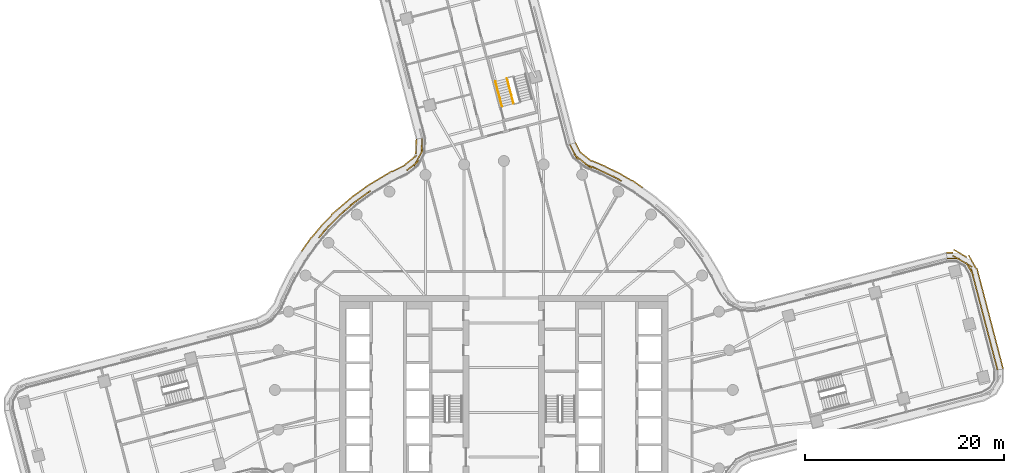
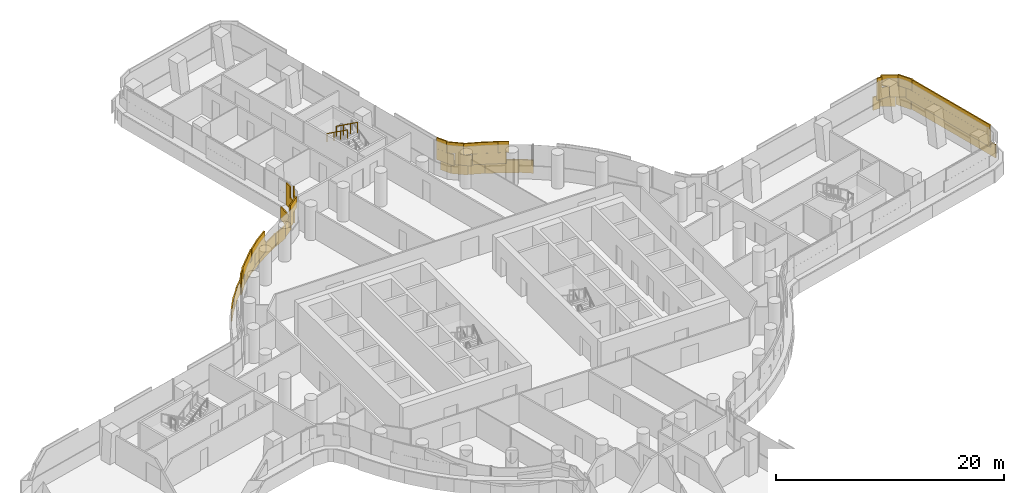
# One storey, part 29 of 30: 3 coverings, 2 railings.
"""IFC4 building model written with IfcOpenShell, lengths in metres."""

import ifcopenshell
import ifcopenshell.guid

model = None  # the IFC model being written
_history = None  # IfcOwnerHistory: only IFC2X3 demands one
_inside = {}  # id of a spatial element -> (the spatial element, [elements in it])
_under = {}  # id of a project, library or spatial element -> (it, [spatial elements below it])
_declared = {}  # id of a project -> (the project, [libraries it declares])
_typed = {}  # id of a type object -> (the type object, [elements of that type])
_made_of = {}  # id of a material, layer set ... -> (it, [elements and type objects made of it])


def new_model(schema):
    """Start an empty IFC model of exactly this schema.

    Asked for "IFC4X3", IfcOpenShell would pick the latest addendum, in which some entities
    have other attributes; the version numbers below select the first issue.
    IFC2X3 requires an IfcOwnerHistory on every rooted entity: one is made here for all.
    """
    global model, _history
    if schema == "IFC4X3":
        model = ifcopenshell.file(schema_version=(4, 3, 0, 0))
    else:
        model = ifcopenshell.file(schema=schema)
    _inside.clear()
    _under.clear()
    _declared.clear()
    _typed.clear()
    _made_of.clear()
    _history = None
    if model.schema == "IFC2X3":
        org = make("IfcOrganization", Name="unknown")
        user = make(
            "IfcPersonAndOrganization",
            ThePerson=make("IfcPerson", FamilyName="unknown"),
            TheOrganization=org,
        )
        app = make(
            "IfcApplication",
            ApplicationDeveloper=org,
            Version="unknown",
            ApplicationFullName="unknown",
            ApplicationIdentifier="unknown",
        )
        _history = make(
            "IfcOwnerHistory",
            OwningUser=user,
            OwningApplication=app,
            ChangeAction="ADDED",
            CreationDate=0,
        )
    return model


def make(cls, **values):
    """One entity of the class cls with the attributes given. An attribute that is None is left unset."""
    return model.create_entity(
        cls, **{name: value for name, value in values.items() if value is not None}
    )


def rooted(cls, **values):
    """An entity with a GlobalId (a new one), such as an element, a storey or a relation."""
    return make(cls, GlobalId=ifcopenshell.guid.new(), OwnerHistory=_history, **values)


def si_unit(unit_type, name, prefix=None):
    """IfcSIUnit, for example si_unit("LENGTHUNIT", "METRE", prefix="MILLI")."""
    return make("IfcSIUnit", UnitType=unit_type, Prefix=prefix, Name=name)


def assignment(units):
    """IfcUnitAssignment: the units of a project."""
    return None if units is None else make("IfcUnitAssignment", Units=units)


def point(xyz):
    """IfcCartesianPoint."""
    return None if xyz is None else make("IfcCartesianPoint", Coordinates=xyz)


def direction(xyz):
    """IfcDirection."""
    return None if xyz is None else make("IfcDirection", DirectionRatios=xyz)


def frame(location, z_axis=None, x_axis=None):
    """IfcAxis2Placement3D, a coordinate frame: its origin and axes. An axis left out is left unset."""
    return make(
        "IfcAxis2Placement3D",
        Location=point(location),
        Axis=direction(z_axis),
        RefDirection=direction(x_axis),
    )


def frame_2d(location, x_axis=None):
    """IfcAxis2Placement2D, a coordinate frame in the plane: its origin and x axis."""
    return make(
        "IfcAxis2Placement2D", Location=point(location), RefDirection=direction(x_axis)
    )


def origin():
    """The frame at (0, 0, 0) with its axes left unset."""
    return frame((0.0, 0.0, 0.0))


def origin_2d():
    """The frame at (0, 0) in the plane with its x axis left unset."""
    return frame_2d((0.0, 0.0))


def place(relative_to, where):
    """IfcLocalPlacement: puts the frame where relative to a parent placement (None: the world)."""
    return make(
        "IfcLocalPlacement", PlacementRelTo=relative_to, RelativePlacement=where
    )


def context(
    kind, dimensions, precision=None, world=None, true_north=None, identifier=None
):
    """IfcGeometricRepresentationContext, for example the 3D "Model" context."""
    return make(
        "IfcGeometricRepresentationContext",
        ContextIdentifier=identifier,
        ContextType=kind,
        CoordinateSpaceDimension=dimensions,
        Precision=precision,
        WorldCoordinateSystem=world,
        TrueNorth=true_north,
    )


def subcontext(parent, identifier, kind, view, scale=None):
    """IfcGeometricRepresentationSubContext, for example "Body" below "Model"."""
    return make(
        "IfcGeometricRepresentationSubContext",
        ContextIdentifier=identifier,
        ContextType=kind,
        ParentContext=parent,
        TargetScale=scale,
        TargetView=view,
    )


def project(units=None, contexts=None):
    """IfcProject with its units and contexts."""
    return rooted(
        "IfcProject",
        Name="project",
        RepresentationContexts=contexts,
        UnitsInContext=assignment(units),
    )


def spatial(cls, under=None, at=None, **own):
    """A site, building, storey or space (cls), placed at a placement, below another one or the project."""
    s = rooted(cls, ObjectPlacement=at, **own)
    if under is not None:
        _under.setdefault(under.id(), (under, []))[1].append(s)
    return s


def profile(cls, at=None, kind="AREA", **sizes):
    """A parametric profile (cls). Its sizes go by their IFC names, for example OverallWidth=200.0."""
    return make(cls, ProfileType=kind, Position=at, **sizes)


def rectangle(**sizes):
    """IfcRectangleProfileDef."""
    return profile("IfcRectangleProfileDef", **sizes)


def circle(**sizes):
    """IfcCircleProfileDef."""
    return profile("IfcCircleProfileDef", **sizes)


def extrude(swept, where, along, depth):
    """IfcExtrudedAreaSolid: the profile swept, set in the frame where, extruded along a direction by depth."""
    return make(
        "IfcExtrudedAreaSolid",
        SweptArea=swept,
        Position=where,
        ExtrudedDirection=direction(along),
        Depth=depth,
    )


def shape(context_of_items, identifier, shape_type, items):
    """IfcShapeRepresentation: the items that make up one representation, for example the "Body"."""
    return make(
        "IfcShapeRepresentation",
        ContextOfItems=context_of_items,
        RepresentationIdentifier=identifier,
        RepresentationType=shape_type,
        Items=items,
    )


def material(Name=None, Category=None):
    """IfcMaterial."""
    return make("IfcMaterial", Name=Name, Category=Category)


def layer(
    of_material, thickness, ventilated=None, Name=None, Category=None, Priority=None
):
    """IfcMaterialLayer: one layer of a wall or slab, of a material (None: an air gap)."""
    return make(
        "IfcMaterialLayer",
        Material=of_material,
        LayerThickness=thickness,
        IsVentilated=ventilated,
        Name=Name,
        Category=Category,
        Priority=Priority,
    )


def layer_set(layers, Name=None):
    """IfcMaterialLayerSet."""
    return make("IfcMaterialLayerSet", MaterialLayers=layers, LayerSetName=Name)


def made_of(thing, what):
    """Note that an element or type object is made of a material, layer set ...; save() writes the relation."""
    if what is not None:
        _made_of.setdefault(what.id(), (what, []))[1].append(thing)
    return thing


def type_object(cls, material=None, **own):
    """A type object (cls), such as IfcWallType, which elements share."""
    return made_of(rooted(cls, **own), material)


def element(
    cls,
    number,
    at=None,
    inside=None,
    cuts=None,
    type_object=None,
    material=None,
    context=None,
    identifier="Body",
    shape_type=None,
    held_by="IfcProductDefinitionShape",
    body=None,
    shapes=None,
    **own,
):
    """One element of the class cls, such as IfcWall. Its Tag is "e" and its number.

    at: its placement. inside: the storey or other place that contains it. cuts: it is an
    opening in that element (IfcRelVoidsElement). A single representation is given by context,
    identifier, shape_type and body (its items); several are given by shapes. held_by: the class
    of the entity that holds the representations. save() writes the other relations.
    """
    e = rooted(cls, Tag="e%d" % number, ObjectPlacement=at, **own)
    if body is not None:
        shapes = [shape(context, identifier, shape_type, body)]
    if shapes is not None:
        e.Representation = make(held_by, Representations=shapes)
    if inside is not None:
        _inside.setdefault(inside.id(), (inside, []))[1].append(e)
    if cuts is not None:
        rooted(
            "IfcRelVoidsElement", RelatingBuildingElement=cuts, RelatedOpeningElement=e
        )
    if type_object is not None:
        _typed.setdefault(type_object.id(), (type_object, []))[1].append(e)
    return made_of(e, material)


def aggregate(whole, parts):
    """IfcRelAggregates: a whole, such as a stair, and the parts it consists of."""
    return rooted("IfcRelAggregates", RelatingObject=whole, RelatedObjects=parts)


def save(model, path):
    """Write the relations noted so far, then the file.

    IfcRelAggregates (storeys below a building ...), IfcRelContainedInSpatialStructure (elements
    in a storey), IfcRelDefinesByType, IfcRelAssociatesMaterial and IfcRelDeclares: one each for
    every whole, place, type object, material and project.
    """
    for whole, parts in _under.values():
        aggregate(whole, parts)
    for where, things in _inside.values():
        rooted(
            "IfcRelContainedInSpatialStructure",
            RelatedElements=things,
            RelatingStructure=where,
        )
    for kind, things in _typed.values():
        rooted("IfcRelDefinesByType", RelatedObjects=things, RelatingType=kind)
    for what, things in _made_of.values():
        rooted("IfcRelAssociatesMaterial", RelatedObjects=things, RelatingMaterial=what)
    for by, libraries in _declared.values():
        rooted("IfcRelDeclares", RelatingContext=by, RelatedDefinitions=libraries)
    model.write(path)


model = new_model("IFC4")

# Units and contexts
model_context = context("Model", 3, precision=1e-05, world=origin(), true_north=direction((0.0, 1.0)))
body_context = subcontext(model_context, "Body", "Model", "MODEL_VIEW")
ifc_project = project(units=[si_unit("LENGTHUNIT", "METRE"), si_unit("AREAUNIT", "SQUARE_METRE"), si_unit("VOLUMEUNIT", "CUBIC_METRE"), si_unit("PLANEANGLEUNIT", "RADIAN"), si_unit("MASSUNIT", "GRAM", prefix="KILO")], contexts=[model_context])

# Site, building, storey
site_placement = place(None, origin())
site = spatial("IfcSite", under=ifc_project, at=site_placement, CompositionType="ELEMENT")
building_placement = place(site_placement, origin())
building = spatial("IfcBuilding", under=site, at=building_placement, Name="Tamarind Cross Interchange Tower", CompositionType="ELEMENT")
storey_placement = place(building_placement, frame((0.0, 0.0, 87.25)))
storey = spatial("IfcBuildingStorey", under=building, at=storey_placement, Name="L20", CompositionType="ELEMENT", Elevation=87.25)

# Railings
ifc_material_1 = material(Name="Stair guard")
railing_type_1 = type_object("IfcRailingType", Name="Stair guard", PredefinedType="GUARDRAIL", material=ifc_material_1)
railing_1_placement = place(storey_placement, frame((0.316650390625, 31.28076171875, 2.04541015625)))
element("IfcRailing", 1, at=railing_1_placement, inside=storey, type_object=railing_type_1, Name="L20 ST4 stair guard 3", PredefinedType="GUARDRAIL", context=body_context, shape_type="SweptSolid", body=[
    extrude(circle(Radius=0.02392578125, at=origin_2d()), frame((0.0, 0.0, 1.076171875), z_axis=(0.211155681885, -0.80920762433, 0.54826663106), x_axis=(0.967600319043, 0.252486876071, 0.0)), (0.0, 0.0, 1.0), 3.109130859375),
    extrude(circle(Radius=0.02099609375, at=origin_2d()), origin(), (0.0, 0.0, 1.0), 1.052001953125),
    extrude(circle(Radius=0.02099609375, at=origin_2d()), frame((0.21875, -0.838623046875, 0.568115234375)), (0.0, 0.0, 1.0), 1.052001953125),
    extrude(circle(Radius=0.02099609375, at=origin_2d()), frame((0.437744140625, -1.67724609375, 1.136474609375)), (0.0, 0.0, 1.0), 1.052001953125),
    extrude(circle(Radius=0.02099609375, at=origin_2d()), frame((0.656494140625, -2.515869140625, 1.70458984375)), (0.0, 0.0, 1.0), 1.052001953125),
])
ifc_material_2 = material(Name="Stair handrail")
railing_type_2 = type_object("IfcRailingType", Name="Stair handrail", PredefinedType="HANDRAIL", material=ifc_material_2)
railing_2_placement = place(storey_placement, frame((-0.844482421875, 30.977783203125, 2.04541015625)))
element("IfcRailing", 2, at=railing_2_placement, inside=storey, type_object=railing_type_2, Name="L20 ST4 stair handrail 2", PredefinedType="HANDRAIL", context=body_context, shape_type="SweptSolid", body=[
    extrude(circle(Radius=0.02392578125, at=origin_2d()), frame((0.0, 0.0, 0.8759765625), z_axis=(0.211155681885, -0.80920762433, 0.54826663106), x_axis=(0.967600319043, 0.252486876071, 0.0)), (0.0, 0.0, 1.0), 3.109130859375),
    extrude(circle(Radius=0.02099609375, at=origin_2d()), origin(), (0.0, 0.0, 1.0), 0.851806640625),
    extrude(circle(Radius=0.02099609375, at=origin_2d()), frame((0.21875, -0.838623046875, 0.568115234375)), (0.0, 0.0, 1.0), 0.851806640625),
    extrude(circle(Radius=0.02099609375, at=origin_2d()), frame((0.437744140625, -1.67724609375, 1.136474609375)), (0.0, 0.0, 1.0), 0.851806640625),
    extrude(circle(Radius=0.02099609375, at=origin_2d()), frame((0.656494140625, -2.515869140625, 1.70458984375)), (0.0, 0.0, 1.0), 0.851806640625),
])

# Coverings
ifc_material_3 = material(Name="Terracotta", Category="masonry")
ifc_layer = layer(ifc_material_3, 0.1201171875)
ifc_layer_set = layer_set([ifc_layer], Name="Terracotta")
covering_type = type_object("IfcCoveringType", Name="Terracotta baguette screen unit", PredefinedType="MOLDING", material=ifc_layer_set)
covering_1_placement = place(storey_placement, origin())
element("IfcCovering", 3, at=covering_1_placement, inside=storey, type_object=covering_type, Name="SCR-L20-02-00", PredefinedType="MOLDING", context=body_context, shape_type="SweptSolid", body=[
    extrude(rectangle(XDim=1.510009765625, YDim=0.1201171875, at=origin_2d()), frame((-8.2412109375, 24.52587890625, 1.404052734375), z_axis=(0.0, 0.0, 1.0), x_axis=(-0.042972111644, -0.999076272174, 0.0)), (0.0, 0.0, 1.0), 1.1669921875),
    extrude(rectangle(XDim=1.52001953125, YDim=0.1201171875, at=origin_2d()), frame((-8.67236328125, 23.13037109375, 1.404052734375), z_axis=(0.0, 0.0, 1.0), x_axis=(-0.484770821269, -0.874641212639, 0.0)), (0.0, 0.0, 1.0), 1.1669921875),
    extrude(rectangle(XDim=0.80810546875, YDim=0.1201171875, at=origin_2d()), frame((-9.435791015625, 22.3017578125, 1.404052734375), z_axis=(0.0, 0.0, 1.0), x_axis=(-0.788525229299, -0.615002408743, 0.0)), (0.0, 0.0, 1.0), 1.1669921875),
    extrude(rectangle(XDim=1.011962890625, YDim=0.1201171875, at=origin_2d()), frame((-13.81298828125, 19.708984375, 1.404052734375), z_axis=(0.0, 0.0, 1.0), x_axis=(-0.811340475102, -0.584573890505, 0.0)), (0.0, 0.0, 1.0), 1.1669921875),
    extrude(rectangle(XDim=1.52001953125, YDim=0.1201171875, at=origin_2d()), frame((-14.827880859375, 18.977783203125, 1.404052734375), z_axis=(0.0, 0.0, 1.0), x_axis=(-0.811340475102, -0.584573890505, 0.0)), (0.0, 0.0, 1.0), 1.1669921875),
    extrude(rectangle(XDim=1.52001953125, YDim=0.1201171875, at=origin_2d()), frame((-15.971435546875, 18.00732421875, 1.404052734375), z_axis=(0.0, 0.0, 1.0), x_axis=(-0.760295606781, -0.64957723968, 0.0)), (0.0, 0.0, 1.0), 1.1669921875),
    extrude(rectangle(XDim=1.52001953125, YDim=0.1201171875, at=origin_2d()), frame((-17.058349609375, 16.975341796875, 1.404052734375), z_axis=(0.0, 0.0, 1.0), x_axis=(-0.704057148523, -0.710143317658, 0.0)), (0.0, 0.0, 1.0), 1.1669921875),
    extrude(rectangle(XDim=1.52001953125, YDim=0.1201171875, at=origin_2d()), frame((-18.08642578125, 15.884521484375, 1.404052734375), z_axis=(0.0, 0.0, 1.0), x_axis=(-0.643009266048, -0.765858396687, 0.0)), (0.0, 0.0, 1.0), 1.1669921875),
    extrude(rectangle(XDim=0.760009765625, YDim=0.1201171875, at=origin_2d()), frame((-8.22509765625, 24.900390625, 2.5791015625), z_axis=(0.0, 0.0, 1.0), x_axis=(-0.042972111644, -0.999076272174, 0.0)), (0.0, 0.0, 1.0), 1.1669921875),
    extrude(rectangle(XDim=1.52001953125, YDim=0.1201171875, at=origin_2d()), frame((-8.308837890625, 23.786376953125, 2.5791015625), z_axis=(0.0, 0.0, 1.0), x_axis=(-0.484770821269, -0.874641212639, 0.0)), (0.0, 0.0, 1.0), 1.1669921875),
    extrude(rectangle(XDim=1.52001953125, YDim=0.1201171875, at=origin_2d()), frame((-9.12109375, 22.547119140625, 2.5791015625), z_axis=(0.0, 0.0, 1.0), x_axis=(-0.788525229299, -0.615002408743, 0.0)), (0.0, 0.0, 1.0), 1.1669921875),
    extrude(rectangle(XDim=1.52001953125, YDim=0.1201171875, at=origin_2d()), frame((-14.219482421875, 19.416259765625, 2.5791015625), z_axis=(0.0, 0.0, 1.0), x_axis=(-0.811340475102, -0.584573890505, 0.0)), (0.0, 0.0, 1.0), 1.1669921875),
    extrude(rectangle(XDim=1.52001953125, YDim=0.1201171875, at=origin_2d()), frame((-15.401123046875, 18.494384765625, 2.5791015625), z_axis=(0.0, 0.0, 1.0), x_axis=(-0.760295606781, -0.64957723968, 0.0)), (0.0, 0.0, 1.0), 1.1669921875),
    extrude(rectangle(XDim=1.52001953125, YDim=0.1201171875, at=origin_2d()), frame((-16.5302734375, 17.5078125, 2.5791015625), z_axis=(0.0, 0.0, 1.0), x_axis=(-0.704057148523, -0.710143317658, 0.0)), (0.0, 0.0, 1.0), 1.1669921875),
    extrude(rectangle(XDim=1.52001953125, YDim=0.1201171875, at=origin_2d()), frame((-17.58642578125, 16.442626953125, 2.5791015625), z_axis=(0.0, 0.0, 1.0), x_axis=(-0.704057148523, -0.710143317658, 0.0)), (0.0, 0.0, 1.0), 1.1669921875),
    extrude(rectangle(XDim=0.807373046875, YDim=0.1201171875, at=origin_2d()), frame((-18.3427734375, 15.5791015625, 2.5791015625), z_axis=(0.0, 0.0, 1.0), x_axis=(-0.643009266048, -0.765858396687, 0.0)), (0.0, 0.0, 1.0), 1.1669921875),
    extrude(rectangle(XDim=1.510009765625, YDim=0.1201171875, at=origin_2d()), frame((-8.818603515625, 24.459716796875, 0.00390625), z_axis=(0.0, 0.0, 1.0), x_axis=(-0.042972111644, -0.999076272174, 0.0)), (0.0, 0.0, 1.0), 1.39208984375),
    extrude(rectangle(XDim=1.52001953125, YDim=0.1201171875, at=origin_2d()), frame((-9.348388671875, 23.09765625, 0.00390625), z_axis=(0.0, 0.0, 1.0), x_axis=(-0.788525229299, -0.615002408743, 0.0)), (0.0, 0.0, 1.0), 1.39208984375),
    extrude(rectangle(XDim=1.52001953125, YDim=0.1201171875, at=origin_2d()), frame((-10.581298828125, 22.255126953125, 0.00390625), z_axis=(0.0, 0.0, 1.0), x_axis=(-0.896407587003, -0.44323068256, 0.0)), (0.0, 0.0, 1.0), 1.39208984375),
    extrude(rectangle(XDim=1.52001953125, YDim=0.1201171875, at=origin_2d()), frame((-11.921630859375, 21.58251953125, 0.00390625), z_axis=(0.0, 0.0, 1.0), x_axis=(-0.856843065292, -0.515577308909, 0.0)), (0.0, 0.0, 1.0), 1.39208984375),
    extrude(rectangle(XDim=1.52001953125, YDim=0.1201171875, at=origin_2d()), frame((-13.20703125, 20.809326171875, 0.00390625), z_axis=(0.0, 0.0, 1.0), x_axis=(-0.856843065292, -0.515577308909, 0.0)), (0.0, 0.0, 1.0), 1.39208984375),
    extrude(rectangle(XDim=1.52001953125, YDim=0.1201171875, at=origin_2d()), frame((-14.443603515625, 19.962158203125, 0.00390625), z_axis=(0.0, 0.0, 1.0), x_axis=(-0.811340475102, -0.584573890505, 0.0)), (0.0, 0.0, 1.0), 1.39208984375),
    extrude(rectangle(XDim=1.52001953125, YDim=0.1201171875, at=origin_2d()), frame((-15.633544921875, 19.05078125, 0.00390625), z_axis=(0.0, 0.0, 1.0), x_axis=(-0.760295606781, -0.64957723968, 0.0)), (0.0, 0.0, 1.0), 1.39208984375),
    extrude(rectangle(XDim=1.52001953125, YDim=0.1201171875, at=origin_2d()), frame((-16.77392578125, 18.076416015625, 0.00390625), z_axis=(0.0, 0.0, 1.0), x_axis=(-0.760295606781, -0.64957723968, 0.0)), (0.0, 0.0, 1.0), 1.39208984375),
    extrude(rectangle(XDim=1.52001953125, YDim=0.1201171875, at=origin_2d()), frame((-17.83056640625, 17.01171875, 0.00390625), z_axis=(0.0, 0.0, 1.0), x_axis=(-0.704057148523, -0.710143317658, 0.0)), (0.0, 0.0, 1.0), 1.39208984375),
    extrude(rectangle(XDim=1.52001953125, YDim=0.1201171875, at=origin_2d()), frame((-18.828369140625, 15.893310546875, 0.00390625), z_axis=(0.0, 0.0, 1.0), x_axis=(-0.643009266048, -0.765858396687, 0.0)), (0.0, 0.0, 1.0), 1.39208984375),
    extrude(rectangle(XDim=1.52001953125, YDim=0.1201171875, at=origin_2d()), frame((-19.765625, 14.7236328125, 0.00390625), z_axis=(0.0, 0.0, 1.0), x_axis=(-0.577568978284, -0.816341886298, 0.0)), (0.0, 0.0, 1.0), 1.39208984375),
    extrude(rectangle(XDim=0.243408203125, YDim=0.1201171875, at=origin_2d()), frame((-20.263427734375, 14.02001953125, 0.00390625), z_axis=(0.0, 0.0, 1.0), x_axis=(-0.577568978284, -0.816341886298, 0.0)), (0.0, 0.0, 1.0), 1.39208984375),
])
covering_2_placement = place(storey_placement, origin())
element("IfcCovering", 4, at=covering_2_placement, inside=storey, type_object=covering_type, Name="SCR-L20-12-00", PredefinedType="MOLDING", context=body_context, shape_type="SweptSolid", body=[
    extrude(rectangle(XDim=1.510009765625, YDim=0.1201171875, at=origin_2d()), frame((49.3955078125, 2.745361328125, 1.404052734375), z_axis=(0.0, 0.0, 1.0), x_axis=(-0.252528729967, 0.967589396666, 0.0)), (0.0, 0.0, 1.0), 1.1669921875),
    extrude(rectangle(XDim=1.52001953125, YDim=0.1201171875, at=origin_2d()), frame((49.016845703125, 4.19677734375, 1.404052734375), z_axis=(0.0, 0.0, 1.0), x_axis=(-0.252528729967, 0.967589396666, 0.0)), (0.0, 0.0, 1.0), 1.1669921875),
    extrude(rectangle(XDim=1.52001953125, YDim=0.1201171875, at=origin_2d()), frame((48.637939453125, 5.64794921875, 1.404052734375), z_axis=(0.0, 0.0, 1.0), x_axis=(-0.252528729967, 0.967589396666, 0.0)), (0.0, 0.0, 1.0), 1.1669921875),
    extrude(rectangle(XDim=1.52001953125, YDim=0.1201171875, at=origin_2d()), frame((48.25927734375, 7.099365234375, 1.404052734375), z_axis=(0.0, 0.0, 1.0), x_axis=(-0.252528729967, 0.967589396666, 0.0)), (0.0, 0.0, 1.0), 1.1669921875),
    extrude(rectangle(XDim=1.52001953125, YDim=0.1201171875, at=origin_2d()), frame((47.88037109375, 8.55078125, 1.404052734375), z_axis=(0.0, 0.0, 1.0), x_axis=(-0.252528729967, 0.967589396666, 0.0)), (0.0, 0.0, 1.0), 1.1669921875),
    extrude(rectangle(XDim=1.52001953125, YDim=0.1201171875, at=origin_2d()), frame((47.501708984375, 10.002197265625, 1.404052734375), z_axis=(0.0, 0.0, 1.0), x_axis=(-0.252528729967, 0.967589396666, 0.0)), (0.0, 0.0, 1.0), 1.1669921875),
    extrude(rectangle(XDim=1.52001953125, YDim=0.1201171875, at=origin_2d()), frame((47.122802734375, 11.45361328125, 1.404052734375), z_axis=(0.0, 0.0, 1.0), x_axis=(-0.252528729967, 0.967589396666, 0.0)), (0.0, 0.0, 1.0), 1.1669921875),
    extrude(rectangle(XDim=1.52001953125, YDim=0.1201171875, at=origin_2d()), frame((46.390380859375, 12.72802734375, 1.404052734375), z_axis=(0.0, 0.0, 1.0), x_axis=(-0.862753801191, 0.505624246383, 0.0)), (0.0, 0.0, 1.0), 1.1669921875),
    extrude(rectangle(XDim=1.259521484375, YDim=0.1201171875, at=origin_2d()), frame((45.14306640625, 13.200439453125, 1.404052734375), z_axis=(0.0, 0.0, 1.0), x_axis=(-0.999978832235, 0.006506541541, 0.0)), (0.0, 0.0, 1.0), 1.1669921875),
    extrude(rectangle(XDim=0.760009765625, YDim=0.1201171875, at=origin_2d()), frame((49.490234375, 2.382568359375, 2.5791015625), z_axis=(0.0, 0.0, 1.0), x_axis=(-0.252528729967, 0.967589396666, 0.0)), (0.0, 0.0, 1.0), 1.1669921875),
    extrude(rectangle(XDim=1.52001953125, YDim=0.1201171875, at=origin_2d()), frame((49.2060546875, 3.470947265625, 2.5791015625), z_axis=(0.0, 0.0, 1.0), x_axis=(-0.252528729967, 0.967589396666, 0.0)), (0.0, 0.0, 1.0), 1.1669921875),
    extrude(rectangle(XDim=1.52001953125, YDim=0.1201171875, at=origin_2d()), frame((48.827392578125, 4.92236328125, 2.5791015625), z_axis=(0.0, 0.0, 1.0), x_axis=(-0.252528729967, 0.967589396666, 0.0)), (0.0, 0.0, 1.0), 1.1669921875),
    extrude(rectangle(XDim=1.52001953125, YDim=0.1201171875, at=origin_2d()), frame((48.448486328125, 6.373779296875, 2.5791015625), z_axis=(0.0, 0.0, 1.0), x_axis=(-0.252528729967, 0.967589396666, 0.0)), (0.0, 0.0, 1.0), 1.1669921875),
    extrude(rectangle(XDim=1.52001953125, YDim=0.1201171875, at=origin_2d()), frame((48.06982421875, 7.8251953125, 2.5791015625), z_axis=(0.0, 0.0, 1.0), x_axis=(-0.252528729967, 0.967589396666, 0.0)), (0.0, 0.0, 1.0), 1.1669921875),
    extrude(rectangle(XDim=1.52001953125, YDim=0.1201171875, at=origin_2d()), frame((47.69091796875, 9.276611328125, 2.5791015625), z_axis=(0.0, 0.0, 1.0), x_axis=(-0.252528729967, 0.967589396666, 0.0)), (0.0, 0.0, 1.0), 1.1669921875),
    extrude(rectangle(XDim=1.52001953125, YDim=0.1201171875, at=origin_2d()), frame((47.312255859375, 10.72802734375, 2.5791015625), z_axis=(0.0, 0.0, 1.0), x_axis=(-0.252528729967, 0.967589396666, 0.0)), (0.0, 0.0, 1.0), 1.1669921875),
    extrude(rectangle(XDim=1.52001953125, YDim=0.1201171875, at=origin_2d()), frame((46.818115234375, 12.132568359375, 2.5791015625), z_axis=(0.0, 0.0, 1.0), x_axis=(-0.494354585852, 0.869260342733, 0.0)), (0.0, 0.0, 1.0), 1.1669921875),
    extrude(rectangle(XDim=1.52001953125, YDim=0.1201171875, at=origin_2d()), frame((45.7431640625, 13.107177734375, 2.5791015625), z_axis=(0.0, 0.0, 1.0), x_axis=(-0.862753801191, 0.505624246383, 0.0)), (0.0, 0.0, 1.0), 1.1669921875),
    extrude(rectangle(XDim=0.509521484375, YDim=0.1201171875, at=origin_2d()), frame((44.76806640625, 13.202880859375, 2.5791015625), z_axis=(0.0, 0.0, 1.0), x_axis=(-0.999978832235, 0.006506541541, 0.0)), (0.0, 0.0, 1.0), 1.1669921875),
    extrude(rectangle(XDim=1.510009765625, YDim=0.1201171875, at=origin_2d()), frame((49.96875, 2.822021484375, 0.00390625), z_axis=(0.0, 0.0, 1.0), x_axis=(-0.252528729967, 0.967589396666, 0.0)), (0.0, 0.0, 1.0), 1.39208984375),
    extrude(rectangle(XDim=1.52001953125, YDim=0.1201171875, at=origin_2d()), frame((49.59130859375, 4.2685546875, 0.00390625), z_axis=(0.0, 0.0, 1.0), x_axis=(-0.252528729967, 0.967589396666, 0.0)), (0.0, 0.0, 1.0), 1.39208984375),
    extrude(rectangle(XDim=1.52001953125, YDim=0.1201171875, at=origin_2d()), frame((49.21240234375, 5.719970703125, 0.00390625), z_axis=(0.0, 0.0, 1.0), x_axis=(-0.252528729967, 0.967589396666, 0.0)), (0.0, 0.0, 1.0), 1.39208984375),
    extrude(rectangle(XDim=1.52001953125, YDim=0.1201171875, at=origin_2d()), frame((48.833740234375, 7.17138671875, 0.00390625), z_axis=(0.0, 0.0, 1.0), x_axis=(-0.252528729967, 0.967589396666, 0.0)), (0.0, 0.0, 1.0), 1.39208984375),
    extrude(rectangle(XDim=1.52001953125, YDim=0.1201171875, at=origin_2d()), frame((48.454833984375, 8.62255859375, 0.00390625), z_axis=(0.0, 0.0, 1.0), x_axis=(-0.252528729967, 0.967589396666, 0.0)), (0.0, 0.0, 1.0), 1.39208984375),
    extrude(rectangle(XDim=1.52001953125, YDim=0.1201171875, at=origin_2d()), frame((48.076171875, 10.073974609375, 0.00390625), z_axis=(0.0, 0.0, 1.0), x_axis=(-0.252528729967, 0.967589396666, 0.0)), (0.0, 0.0, 1.0), 1.39208984375),
    extrude(rectangle(XDim=1.52001953125, YDim=0.1201171875, at=origin_2d()), frame((47.697265625, 11.525390625, 0.00390625), z_axis=(0.0, 0.0, 1.0), x_axis=(-0.252528729967, 0.967589396666, 0.0)), (0.0, 0.0, 1.0), 1.39208984375),
    extrude(rectangle(XDim=1.52001953125, YDim=0.1201171875, at=origin_2d()), frame((47.05859375, 12.87109375, 0.00390625), z_axis=(0.0, 0.0, 1.0), x_axis=(-0.494354585852, 0.869260342733, 0.0)), (0.0, 0.0, 1.0), 1.39208984375),
    extrude(rectangle(XDim=1.52001953125, YDim=0.1201171875, at=origin_2d()), frame((45.847412109375, 13.71142578125, 0.00390625), z_axis=(0.0, 0.0, 1.0), x_axis=(-0.862753801191, 0.505624246383, 0.0)), (0.0, 0.0, 1.0), 1.39208984375),
    extrude(rectangle(XDim=0.6767578125, YDim=0.1201171875, at=origin_2d()), frame((44.78515625, 13.776611328125, 0.00390625), z_axis=(0.0, 0.0, 1.0), x_axis=(-0.999978832235, 0.006506541541, 0.0)), (0.0, 0.0, 1.0), 1.39208984375),
])
covering_3_placement = place(storey_placement, origin())
element("IfcCovering", 5, at=covering_3_placement, inside=storey, type_object=covering_type, Name="SCR-L20-14-01", PredefinedType="MOLDING", context=body_context, shape_type="SweptSolid", body=[
    extrude(rectangle(XDim=1.52001953125, YDim=0.1201171875, at=origin_2d()), frame((10.933349609375, 21.444580078125, 1.404052734375), z_axis=(0.0, 0.0, 1.0), x_axis=(-0.900272776334, 0.435326231914, 0.0)), (0.0, 0.0, 1.0), 1.1669921875),
    extrude(rectangle(XDim=1.52001953125, YDim=0.1201171875, at=origin_2d()), frame((9.5830078125, 22.097412109375, 1.404052734375), z_axis=(0.0, 0.0, 1.0), x_axis=(-0.900272776334, 0.435326231914, 0.0)), (0.0, 0.0, 1.0), 1.1669921875),
    extrude(rectangle(XDim=1.52001953125, YDim=0.1201171875, at=origin_2d()), frame((8.22021484375, 22.710205078125, 1.404052734375), z_axis=(0.0, 0.0, 1.0), x_axis=(-0.777699114767, 0.628636689106, 0.0)), (0.0, 0.0, 1.0), 1.1669921875),
    extrude(rectangle(XDim=1.52001953125, YDim=0.1201171875, at=origin_2d()), frame((7.115966796875, 23.703369140625, 1.404052734375), z_axis=(0.0, 0.0, 1.0), x_axis=(-0.45253642049, 0.891745921286, 0.0)), (0.0, 0.0, 1.0), 1.1669921875),
    extrude(rectangle(XDim=0.31982421875, YDim=0.1201171875, at=origin_2d()), frame((6.706298828125, 24.510498046875, 1.404052734375), z_axis=(0.0, 0.0, 1.0), x_axis=(-0.45253642049, 0.891745921286, 0.0)), (0.0, 0.0, 1.0), 1.1669921875),
    extrude(rectangle(XDim=1.0126953125, YDim=0.1201171875, at=origin_2d()), frame((11.38427734375, 21.225341796875, 2.5791015625), z_axis=(0.0, 0.0, 1.0), x_axis=(-0.861248933065, 0.508183308752, 0.0)), (0.0, 0.0, 1.0), 1.1669921875),
    extrude(rectangle(XDim=1.52001953125, YDim=0.1201171875, at=origin_2d()), frame((10.25830078125, 21.77099609375, 2.5791015625), z_axis=(0.0, 0.0, 1.0), x_axis=(-0.900272776334, 0.435326231914, 0.0)), (0.0, 0.0, 1.0), 1.1669921875),
    extrude(rectangle(XDim=1.52001953125, YDim=0.1201171875, at=origin_2d()), frame((8.89013671875, 22.384521484375, 2.5791015625), z_axis=(0.0, 0.0, 1.0), x_axis=(-0.923969072286, 0.382467192657, 0.0)), (0.0, 0.0, 1.0), 1.1669921875),
    extrude(rectangle(XDim=1.52001953125, YDim=0.1201171875, at=origin_2d()), frame((7.636962890625, 23.181640625, 2.5791015625), z_axis=(0.0, 0.0, 1.0), x_axis=(-0.777699114767, 0.628636689106, 0.0)), (0.0, 0.0, 1.0), 1.1669921875),
    extrude(rectangle(XDim=1.06982421875, YDim=0.1201171875, at=origin_2d()), frame((6.8759765625, 24.176025390625, 2.5791015625), z_axis=(0.0, 0.0, 1.0), x_axis=(-0.45253642049, 0.891745921286, 0.0)), (0.0, 0.0, 1.0), 1.1669921875),
    extrude(rectangle(XDim=1.276611328125, YDim=0.1201171875, at=origin_2d()), frame((13.399658203125, 20.702392578125, 0.00390625), z_axis=(0.0, 0.0, 1.0), x_axis=(-0.816341886298, 0.577568978284, 0.0)), (0.0, 0.0, 1.0), 1.39208984375),
    extrude(rectangle(XDim=1.52001953125, YDim=0.1201171875, at=origin_2d()), frame((12.212646484375, 21.40283203125, 0.00390625), z_axis=(0.0, 0.0, 1.0), x_axis=(-0.861248933065, 0.508183308752, 0.0)), (0.0, 0.0, 1.0), 1.39208984375),
    extrude(rectangle(XDim=1.52001953125, YDim=0.1201171875, at=origin_2d()), frame((10.887939453125, 22.10400390625, 0.00390625), z_axis=(0.0, 0.0, 1.0), x_axis=(-0.900272776334, 0.435326231914, 0.0)), (0.0, 0.0, 1.0), 1.39208984375),
    extrude(rectangle(XDim=1.52001953125, YDim=0.1201171875, at=origin_2d()), frame((9.5302734375, 22.74072265625, 0.00390625), z_axis=(0.0, 0.0, 1.0), x_axis=(-0.923969072286, 0.382467192657, 0.0)), (0.0, 0.0, 1.0), 1.39208984375),
    extrude(rectangle(XDim=1.52001953125, YDim=0.1201171875, at=origin_2d()), frame((8.22265625, 23.4462890625, 0.00390625), z_axis=(0.0, 0.0, 1.0), x_axis=(-0.777699114767, 0.628636689106, 0.0)), (0.0, 0.0, 1.0), 1.39208984375),
    extrude(rectangle(XDim=1.052001953125, YDim=0.1201171875, at=origin_2d()), frame((7.4140625, 24.38427734375, 0.00390625), z_axis=(0.0, 0.0, 1.0), x_axis=(-0.45253642049, 0.891745921286, 0.0)), (0.0, 0.0, 1.0), 1.39208984375),
])

save(model, "model.ifc")
